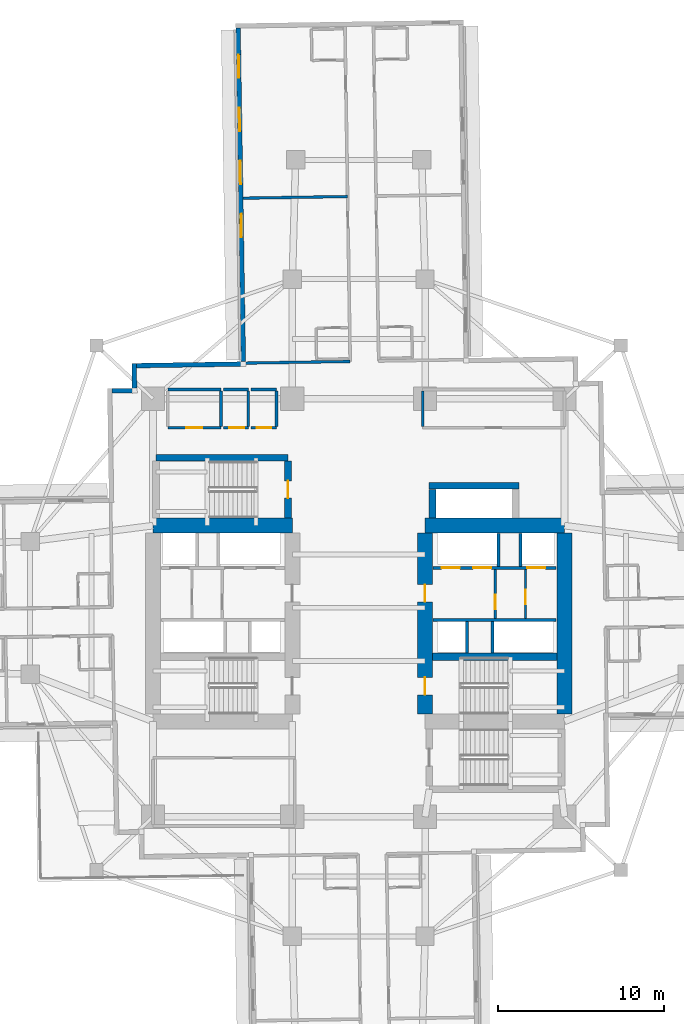
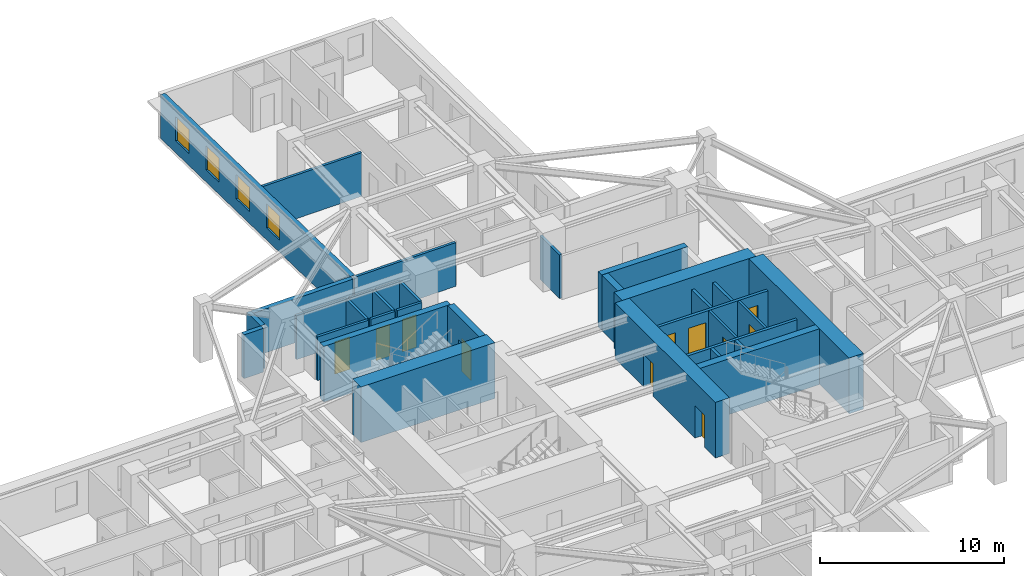
# One storey, part 6 of 14: 33 walls, 11 doors, 4 windows, 15 openings.
"""IFC4 building model written with IfcOpenShell, lengths in metres."""

from ifc_helpers import new_model, si_unit, direction, frame, frame_2d, origin, place, context, subcontext, project, spatial, rectangle, extrude, material, layer, layer_set, type_object, element, fill, save


model = new_model("IFC4")

# Units and contexts
model_context = context("Model", 3, precision=1e-05, world=origin(), true_north=direction((0.0, 1.0)))
body_context = subcontext(model_context, "Body", "Model", "MODEL_VIEW")
ifc_project = project(units=[si_unit("LENGTHUNIT", "METRE"), si_unit("AREAUNIT", "SQUARE_METRE"), si_unit("VOLUMEUNIT", "CUBIC_METRE"), si_unit("PLANEANGLEUNIT", "RADIAN"), si_unit("MASSUNIT", "GRAM", prefix="KILO")], contexts=[model_context])

# Site, building, storey
site_placement = place(None, origin())
site = spatial("IfcSite", under=ifc_project, at=site_placement, CompositionType="ELEMENT")
building_placement = place(site_placement, origin())
building = spatial("IfcBuilding", under=site, at=building_placement, Name="Qingluan Cross Belvedere", CompositionType="ELEMENT")
storey_placement = place(building_placement, frame((0.0, 0.0, 60.0)))
storey = spatial("IfcBuildingStorey", under=building, at=storey_placement, Name="L15", CompositionType="ELEMENT", Elevation=60.0)

# Walls
ifc_material_1 = material(Name="Concrete C50", Category="concrete")
ifc_layer_1 = layer(ifc_material_1, 0.449951171875, Name="CoreShearWall_450")
ifc_layer_set_1 = layer_set([ifc_layer_1], Name="Concrete C50")
wall_type_1 = type_object("IfcWallType", Name="CoreShearWall_450", PredefinedType="SHEAR", material=ifc_layer_set_1)
wall_1_placement = place(storey_placement, frame((4.455078125, -2.9599609375, 0.0), z_axis=(0.0, 0.0, 1.0), x_axis=(1.0, 0.0, 0.0)))
element("IfcWall", 1, at=wall_1_placement, inside=storey, type_object=wall_type_1, Name="Split core E shear wall L15-M", PredefinedType="SHEAR", context=body_context, shape_type="SweptSolid", body=[
    extrude(rectangle(XDim=7.489990234375, YDim=0.449951171875, at=frame_2d((3.7451171875, 0.0))), origin(), (0.0, 0.0, 1.0), 3.699951171875),
])
wall_2_placement = place(storey_placement, frame((-12.219970703125, 9.0400390625, 0.0), z_axis=(0.0, 0.0, 1.0), x_axis=(1.0, 0.0, 0.0)))
element("IfcWall", 2, at=wall_2_placement, inside=storey, type_object=wall_type_1, Name="Stair ST3 structural wall N L15", PredefinedType="SHEAR", context=body_context, shape_type="SweptSolid", body=[
    extrude(rectangle(XDim=7.9599609375, YDim=0.39990234375, at=frame_2d((3.97998046875, 0.0))), origin(), (0.0, 0.0, 1.0), 3.699951171875),
])

# Wall, opening, door
wall_3_placement = place(storey_placement, frame((-4.260009765625, 5.405029296875, 0.0), z_axis=(0.0, 0.0, 1.0), x_axis=(0.0, 1.0, 0.0)))
wall_3 = element("IfcWall", 3, at=wall_3_placement, inside=storey, type_object=wall_type_1, Name="Stair ST3 structural wall E L15", PredefinedType="SHEAR", context=body_context, shape_type="SweptSolid", body=[
    extrude(rectangle(XDim=3.429931640625, YDim=0.39990234375, at=frame_2d((1.71484375, 0.0))), origin(), (0.0, 0.0, 1.0), 3.699951171875),
])
opening_1_placement = place(wall_3_placement, frame((1.195068359375, 0.0, 0.0)))
opening_1 = element("IfcOpeningElement", 4, at=opening_1_placement, cuts=wall_3, Name="Opening FD-B11", PredefinedType="OPENING", context=body_context, shape_type="SweptSolid", body=[
    extrude(rectangle(XDim=1.050048828125, YDim=2.14990234375, at=frame_2d((0.52490234375, 1.074951171875))), frame((0.0, 0.2099609375, 0.0), z_axis=(0.0, -1.0, 0.0), x_axis=(1.0, 0.0, 0.0)), (0.0, 0.0, 1.0), 0.419921875),
])
ifc_material_2 = material(Name="Steel Class B smoke-seal fire door", Category="steel")
door_type_1 = type_object("IfcDoorType", Name="StairLobbyFireDoor_FDB", OperationType="NOTDEFINED", PredefinedType="DOOR", material=ifc_material_2)
door_1_placement = place(opening_1_placement, origin())
door_1 = element("IfcDoor", 5, at=door_1_placement, inside=storey, type_object=door_type_1, Name="Smoke-proof stair ST3 fire door L15", OperationType="SINGLE_SWING_RIGHT", OverallHeight=2.14990234375, OverallWidth=1.050048828125, PredefinedType="DOOR", context=body_context, shape_type="SweptSolid", body=[
    extrude(rectangle(XDim=1.050048828125, YDim=2.14990234375, at=frame_2d((0.52490234375, 1.074951171875))), frame((0.0, 0.02490234375, 0.0), z_axis=(0.0, -1.0, 0.0), x_axis=(1.0, 0.0, 0.0)), (0.0, 0.0, 1.0), 0.050048828125),
])
fill(opening_1, door_1)

# Walls
wall_4_placement = place(storey_placement, frame((4.449951171875, 5.405029296875, 0.0), z_axis=(0.0, 0.0, 1.0), x_axis=(0.0, 1.0, 0.0)))
element("IfcWall", 6, at=wall_4_placement, inside=storey, type_object=wall_type_1, Name="Express shuttle core wall L15-W", PredefinedType="SHEAR", context=body_context, shape_type="SweptSolid", body=[
    extrude(rectangle(XDim=1.73486328125, YDim=0.39990234375, at=frame_2d((0.867431640625, 0.0))), origin(), (0.0, 0.0, 1.0), 3.699951171875),
])
wall_5_placement = place(storey_placement, frame((4.25, 7.35009765625, 0.0), z_axis=(0.0, 0.0, 1.0), x_axis=(1.0, 0.0, 0.0)))
element("IfcWall", 7, at=wall_5_placement, inside=storey, type_object=wall_type_1, Name="Express shuttle core wall L15-N", PredefinedType="SHEAR", context=body_context, shape_type="SweptSolid", body=[
    extrude(rectangle(XDim=5.39990234375, YDim=0.39990234375, at=frame_2d((2.699951171875, 0.0))), origin(), (0.0, 0.0, 1.0), 3.699951171875),
])
ifc_material_3 = material(Name="Concrete C70", Category="concrete")
ifc_layer_2 = layer(ifc_material_3, 0.89990234375, Name="CoreShearWall_900")
ifc_layer_set_2 = layer_set([ifc_layer_2], Name="Concrete C70")
wall_type_2 = type_object("IfcWallType", Name="CoreShearWall_900", PredefinedType="SHEAR", material=ifc_layer_set_2)
for number, where, z_axis, x_axis, name in (
    (8, (-12.39990234375, 4.949951171875, 0.0), (0.0, 0.0, 1.0), (1.0, 0.0, 0.0), "Split core W shear wall L15-N"),
    (9, (4.0, 4.949951171875, 0.0), (0.0, 0.0, 1.0), (1.0, 0.0, 0.0), "Split core E shear wall L15-N"),
):
    element("IfcWall", number, at=place(storey_placement, frame(where, z_axis=z_axis, x_axis=x_axis)), inside=storey, type_object=wall_type_2, Name=name, PredefinedType="SHEAR", context=body_context, shape_type="SweptSolid", body=[
        extrude(rectangle(XDim=8.39990234375, YDim=0.89990234375, at=frame_2d((4.199951171875, 0.0))), origin(), (0.0, 0.0, 1.0), 3.699951171875),
    ])

# Wall, openings, doors
wall_6_placement = place(storey_placement, frame((4.0, -6.39501953125, 0.0), z_axis=(0.0, 0.0, 1.0), x_axis=(0.0, 1.0, 0.0)))
wall_6 = element("IfcWall", 10, at=wall_6_placement, inside=storey, type_object=wall_type_2, Name="Split core E shear wall L15-W", PredefinedType="SHEAR", context=body_context, shape_type="SweptSolid", body=[
    extrude(rectangle(XDim=10.89013671875, YDim=0.89990234375, at=frame_2d((5.445068359375, 0.0))), origin(), (0.0, 0.0, 1.0), 3.699951171875),
])
opening_2_placement = place(wall_6_placement, frame((1.14501953125, 0.0, 0.0)))
opening_2 = element("IfcOpeningElement", 11, at=opening_2_placement, cuts=wall_6, Name="Opening FD-B11", PredefinedType="OPENING", context=body_context, shape_type="SweptSolid", body=[
    extrude(rectangle(XDim=1.050048828125, YDim=2.14990234375, at=frame_2d((0.52490234375, 1.074951171875))), frame((0.0, 0.4599609375, 0.0), z_axis=(0.0, -1.0, 0.0), x_axis=(1.0, 0.0, 0.0)), (0.0, 0.0, 1.0), 0.919921875),
])
opening_3_placement = place(wall_6_placement, frame((6.7451171875, 0.0, 0.0)))
opening_3 = element("IfcOpeningElement", 12, at=opening_3_placement, cuts=wall_6, Name="Opening FD-B11", PredefinedType="OPENING", context=body_context, shape_type="SweptSolid", body=[
    extrude(rectangle(XDim=1.050048828125, YDim=2.14990234375, at=frame_2d((0.52490234375, 1.074951171875))), frame((0.0, 0.4599609375, 0.0), z_axis=(0.0, -1.0, 0.0), x_axis=(1.0, 0.0, 0.0)), (0.0, 0.0, 1.0), 0.919921875),
])
door_2_placement = place(opening_2_placement, origin())
door_2 = element("IfcDoor", 13, at=door_2_placement, inside=storey, type_object=door_type_1, Name="Smoke-proof stair ST2 fire door L15", OperationType="SINGLE_SWING_LEFT", OverallHeight=2.14990234375, OverallWidth=1.050048828125, PredefinedType="DOOR", context=body_context, shape_type="SweptSolid", body=[
    extrude(rectangle(XDim=1.050048828125, YDim=2.14990234375, at=frame_2d((0.52490234375, 1.074951171875))), frame((0.0, 0.02490234375, 0.0), z_axis=(0.0, -1.0, 0.0), x_axis=(1.0, 0.0, 0.0)), (0.0, 0.0, 1.0), 0.050048828125),
])
fill(opening_2, door_2)
door_3_placement = place(opening_3_placement, origin())
door_3 = element("IfcDoor", 14, at=door_3_placement, inside=storey, type_object=door_type_1, Name="Firefighting lobby East fire door L15", OperationType="SINGLE_SWING_LEFT", OverallHeight=2.14990234375, OverallWidth=1.050048828125, PredefinedType="DOOR", context=body_context, shape_type="SweptSolid", body=[
    extrude(rectangle(XDim=1.050048828125, YDim=2.14990234375, at=frame_2d((0.52490234375, 1.074951171875))), frame((0.0, 0.02490234375, 0.0), z_axis=(0.0, -1.0, 0.0), x_axis=(1.0, 0.0, 0.0)), (0.0, 0.0, 1.0), 0.050048828125),
])
fill(opening_3, door_3)

# Wall
wall_7_placement = place(storey_placement, frame((12.39990234375, -6.39501953125, 0.0), z_axis=(0.0, 0.0, 1.0), x_axis=(0.0, 1.0, 0.0)))
element("IfcWall", 15, at=wall_7_placement, inside=storey, type_object=wall_type_2, Name="Split core E shear wall L15-E", PredefinedType="SHEAR", context=body_context, shape_type="SweptSolid", body=[
    extrude(rectangle(XDim=10.89013671875, YDim=0.89990234375, at=frame_2d((5.445068359375, 0.0))), origin(), (0.0, 0.0, 1.0), 3.699951171875),
])

# Wall, opening, door
ifc_material_4 = material(Name="Gypsum plasterboard on steel stud acoustic partition", Category="steel")
ifc_layer_3 = layer(ifc_material_4, 0.159912109375, Name="CorridorPartition_160")
ifc_layer_set_3 = layer_set([ifc_layer_3], Name="Gypsum plasterboard on steel stud acoustic partition")
wall_type_3 = type_object("IfcWallType", Name="CorridorPartition_160", PredefinedType="PARTITIONING", material=ifc_layer_set_3)
wall_8_placement = place(storey_placement, frame((10.050048828125, -0.652099609375, 0.0), z_axis=(0.0, 0.0, 1.0), x_axis=(0.0, 1.0, 0.0)))
wall_8 = element("IfcWall", 16, at=wall_8_placement, inside=storey, type_object=wall_type_3, Name="Partition L15:ev", PredefinedType="PARTITIONING", context=body_context, shape_type="SweptSolid", body=[
    extrude(rectangle(XDim=2.962158203125, YDim=0.139892578125, at=frame_2d((1.48095703125, 0.0))), origin(), (0.0, 0.0, 1.0), 2.89990234375),
])
opening_4_placement = place(wall_8_placement, frame((0.85009765625, 0.0, 0.0)))
opening_4 = element("IfcOpeningElement", 17, at=opening_4_placement, cuts=wall_8, Name="Opening FD-B10", PredefinedType="OPENING", context=body_context, shape_type="SweptSolid", body=[
    extrude(rectangle(XDim=0.8798828125, YDim=2.10009765625, at=frame_2d((0.43994140625, 1.050048828125))), frame((0.0, 0.079833984375, 0.0), z_axis=(0.0, -1.0, 0.0), x_axis=(1.0, 0.0, 0.0)), (0.0, 0.0, 1.0), 0.159912109375),
])
ifc_material_5 = material(Name="Steel Class B service fire door", Category="steel")
door_type_2 = type_object("IfcDoorType", Name="RiserServiceFireDoor_FDB", OperationType="NOTDEFINED", PredefinedType="DOOR", material=ifc_material_5)
door_4_placement = place(opening_4_placement, origin())
door_4 = element("IfcDoor", 18, at=door_4_placement, inside=storey, type_object=door_type_2, Name="Service closet inner door L15", OperationType="SINGLE_SWING_LEFT", OverallHeight=2.10009765625, OverallWidth=0.8798828125, PredefinedType="DOOR", context=body_context, shape_type="SweptSolid", body=[
    extrude(rectangle(XDim=0.8798828125, YDim=2.10009765625, at=frame_2d((0.43994140625, 1.050048828125))), frame((0.0, 0.02490234375, 0.0), z_axis=(0.0, -1.0, 0.0), x_axis=(1.0, 0.0, 0.0)), (0.0, 0.0, 1.0), 0.050048828125),
])
fill(opening_4, door_4)

wall_9_placement = place(storey_placement, frame((-11.5, 10.85009765625, 0.0), z_axis=(0.0, 0.0, 1.0), x_axis=(1.0, 0.0, 0.0)))
wall_9 = element("IfcWall", 19, at=wall_9_placement, inside=storey, type_object=wall_type_3, Name="Partition L15:q_nw_occ:S", PredefinedType="PARTITIONING", context=body_context, shape_type="SweptSolid", body=[
    extrude(rectangle(XDim=3.199951171875, YDim=0.159912109375, at=frame_2d((1.60009765625, 0.0))), origin(), (0.0, 0.0, 1.0), 2.89990234375),
])
opening_5_placement = place(wall_9_placement, frame((1.1201171875, 0.0, 0.0)))
opening_5 = element("IfcOpeningElement", 20, at=opening_5_placement, cuts=wall_9, Name="Opening GD-10", PredefinedType="OPENING", context=body_context, shape_type="SweptSolid", body=[
    extrude(rectangle(XDim=0.9599609375, YDim=2.14990234375, at=frame_2d((0.47998046875, 1.074951171875))), frame((0.0, 0.08984375, 0.0), z_axis=(0.0, -1.0, 0.0), x_axis=(1.0, 0.0, 0.0)), (0.0, 0.0, 1.0), 0.179931640625),
])
ifc_material_6 = material(Name="Timber oak fire-rated acoustic guestroom door", Category="wood")
door_type_3 = type_object("IfcDoorType", Name="GuestEntryDoor_FD60", OperationType="NOTDEFINED", PredefinedType="DOOR", material=ifc_material_6)
door_5_placement = place(opening_5_placement, origin())
door_5 = element("IfcDoor", 21, at=door_5_placement, inside=storey, type_object=door_type_3, Name="Northwest corner reading salon L15 door", OperationType="SINGLE_SWING_RIGHT", OverallHeight=2.14990234375, OverallWidth=0.9599609375, PredefinedType="DOOR", context=body_context, shape_type="SweptSolid", body=[
    extrude(rectangle(XDim=0.9599609375, YDim=2.14990234375, at=frame_2d((0.47998046875, 1.074951171875))), frame((0.0, 0.02490234375, 0.0), z_axis=(0.0, -1.0, 0.0), x_axis=(1.0, 0.0, 0.0)), (0.0, 0.0, 1.0), 0.050048828125),
])
fill(opening_5, door_5)

# Walls
wall_10_placement = place(storey_placement, frame((-11.5, 13.14990234375, 0.0), z_axis=(0.0, 0.0, 1.0), x_axis=(1.0, 0.0, 0.0)))
element("IfcWall", 22, at=wall_10_placement, inside=storey, type_object=wall_type_3, Name="Partition L15:q_nw_occ:N", PredefinedType="PARTITIONING", context=body_context, shape_type="SweptSolid", body=[
    extrude(rectangle(XDim=3.199951171875, YDim=0.159912109375, at=frame_2d((1.60009765625, 0.0))), origin(), (0.0, 0.0, 1.0), 2.89990234375),
])
wall_11_placement = place(storey_placement, frame((-8.300048828125, 10.93505859375, 0.0), z_axis=(0.0, 0.0, 1.0), x_axis=(0.0, 1.0, 0.0)))
element("IfcWall", 23, at=wall_11_placement, inside=storey, type_object=wall_type_3, Name="Partition L15:q_nw_occ:E", PredefinedType="PARTITIONING", context=body_context, shape_type="SweptSolid", body=[
    extrude(rectangle(XDim=2.1298828125, YDim=0.159912109375, at=frame_2d((1.06494140625, 0.0))), origin(), (0.0, 0.0, 1.0), 2.89990234375),
])

# Wall, opening, door
wall_12_placement = place(storey_placement, frame((-8.139892578125, 10.85009765625, 0.0), z_axis=(0.0, 0.0, 1.0), x_axis=(1.0, 0.0, 0.0)))
wall_12 = element("IfcWall", 24, at=wall_12_placement, inside=storey, type_object=wall_type_3, Name="Partition L15:hk_linen:S", PredefinedType="PARTITIONING", context=body_context, shape_type="SweptSolid", body=[
    extrude(rectangle(XDim=1.489990234375, YDim=0.159912109375, at=frame_2d((0.7451171875, 0.0))), origin(), (0.0, 0.0, 1.0), 2.89990234375),
])
opening_6_placement = place(wall_12_placement, frame((0.35009765625, 0.0, 0.0)))
opening_6 = element("IfcOpeningElement", 25, at=opening_6_placement, cuts=wall_12, Name="Opening FD-B10", PredefinedType="OPENING", context=body_context, shape_type="SweptSolid", body=[
    extrude(rectangle(XDim=0.8798828125, YDim=2.10009765625, at=frame_2d((0.43994140625, 1.050048828125))), frame((0.0, 0.08984375, 0.0), z_axis=(0.0, -1.0, 0.0), x_axis=(1.0, 0.0, 0.0)), (0.0, 0.0, 1.0), 0.179931640625),
])
door_6_placement = place(opening_6_placement, origin())
door_6 = element("IfcDoor", 26, at=door_6_placement, inside=storey, type_object=door_type_2, Name="Housekeeping and linen store L15 door", OperationType="SINGLE_SWING_LEFT", OverallHeight=2.10009765625, OverallWidth=0.8798828125, PredefinedType="DOOR", context=body_context, shape_type="SweptSolid", body=[
    extrude(rectangle(XDim=0.8798828125, YDim=2.10009765625, at=frame_2d((0.43994140625, 1.050048828125))), frame((0.0, 0.02490234375, 0.0), z_axis=(0.0, -1.0, 0.0), x_axis=(1.0, 0.0, 0.0)), (0.0, 0.0, 1.0), 0.050048828125),
])
fill(opening_6, door_6)

# Walls
wall_13_placement = place(storey_placement, frame((-8.139892578125, 13.14990234375, 0.0), z_axis=(0.0, 0.0, 1.0), x_axis=(1.0, 0.0, 0.0)))
element("IfcWall", 27, at=wall_13_placement, inside=storey, type_object=wall_type_3, Name="Partition L15:hk_linen:N", PredefinedType="PARTITIONING", context=body_context, shape_type="SweptSolid", body=[
    extrude(rectangle(XDim=1.489990234375, YDim=0.159912109375, at=frame_2d((0.7451171875, 0.0))), origin(), (0.0, 0.0, 1.0), 2.89990234375),
])
wall_14_placement = place(storey_placement, frame((-6.64990234375, 10.93505859375, 0.0), z_axis=(0.0, 0.0, 1.0), x_axis=(0.0, 1.0, 0.0)))
element("IfcWall", 28, at=wall_14_placement, inside=storey, type_object=wall_type_3, Name="Partition L15:hk_linen:E", PredefinedType="PARTITIONING", context=body_context, shape_type="SweptSolid", body=[
    extrude(rectangle(XDim=2.1298828125, YDim=0.159912109375, at=frame_2d((1.06494140625, 0.0))), origin(), (0.0, 0.0, 1.0), 2.89990234375),
])

# Wall, opening, door
wall_15_placement = place(storey_placement, frame((-6.489990234375, 10.85009765625, 0.0), z_axis=(0.0, 0.0, 1.0), x_axis=(1.0, 0.0, 0.0)))
wall_15 = element("IfcWall", 29, at=wall_15_placement, inside=storey, type_object=wall_type_3, Name="Partition L15:floor_acc_wc:S", PredefinedType="PARTITIONING", context=body_context, shape_type="SweptSolid", body=[
    extrude(rectangle(XDim=1.5400390625, YDim=0.159912109375, at=frame_2d((0.77001953125, 0.0))), origin(), (0.0, 0.0, 1.0), 2.89990234375),
])
opening_7_placement = place(wall_15_placement, frame((0.35009765625, 0.0, 0.0)))
opening_7 = element("IfcOpeningElement", 30, at=opening_7_placement, cuts=wall_15, Name="Opening BD-08", PredefinedType="OPENING", context=body_context, shape_type="SweptSolid", body=[
    extrude(rectangle(XDim=0.8798828125, YDim=2.14990234375, at=frame_2d((0.43994140625, 1.074951171875))), frame((0.0, 0.08984375, 0.0), z_axis=(0.0, -1.0, 0.0), x_axis=(1.0, 0.0, 0.0)), (0.0, 0.0, 1.0), 0.179931640625),
])
ifc_material_7 = material(Name="Moisture-sealed timber accessible WC door", Category="wood")
door_type_4 = type_object("IfcDoorType", Name="AccessibleWCDoor_880", OperationType="NOTDEFINED", PredefinedType="DOOR", material=ifc_material_7)
door_7_placement = place(opening_7_placement, origin())
door_7 = element("IfcDoor", 31, at=door_7_placement, inside=storey, type_object=door_type_4, Name="Accessible guest washroom L15 door", OperationType="SINGLE_SWING_RIGHT", OverallHeight=2.14990234375, OverallWidth=0.8798828125, PredefinedType="DOOR", context=body_context, shape_type="SweptSolid", body=[
    extrude(rectangle(XDim=0.8798828125, YDim=2.14990234375, at=frame_2d((0.43994140625, 1.074951171875))), frame((0.0, 0.02490234375, 0.0), z_axis=(0.0, -1.0, 0.0), x_axis=(1.0, 0.0, 0.0)), (0.0, 0.0, 1.0), 0.050048828125),
])
fill(opening_7, door_7)

# Walls
wall_16_placement = place(storey_placement, frame((-6.489990234375, 13.14990234375, 0.0), z_axis=(0.0, 0.0, 1.0), x_axis=(1.0, 0.0, 0.0)))
element("IfcWall", 32, at=wall_16_placement, inside=storey, type_object=wall_type_3, Name="Partition L15:floor_acc_wc:N", PredefinedType="PARTITIONING", context=body_context, shape_type="SweptSolid", body=[
    extrude(rectangle(XDim=1.5400390625, YDim=0.159912109375, at=frame_2d((0.77001953125, 0.0))), origin(), (0.0, 0.0, 1.0), 2.89990234375),
])
for number, where, z_axis, x_axis, name in (
    (33, (-4.949951171875, 10.93505859375, 0.0), (0.0, 0.0, 1.0), (0.0, 1.0, 0.0), "Partition L15:floor_acc_wc:E"),
    (34, (3.85009765625, 10.93505859375, 0.0), (0.0, 0.0, 1.0), (0.0, 1.0, 0.0), "Partition L15:q_ne:W"),
):
    element("IfcWall", number, at=place(storey_placement, frame(where, z_axis=z_axis, x_axis=x_axis)), inside=storey, type_object=wall_type_3, Name=name, PredefinedType="PARTITIONING", context=body_context, shape_type="SweptSolid", body=[
        extrude(rectangle(XDim=2.1298828125, YDim=0.159912109375, at=frame_2d((1.06494140625, 0.0))), origin(), (0.0, 0.0, 1.0), 2.89990234375),
    ])
wall_17_placement = place(storey_placement, frame((-0.51318359375, 14.84375, 0.0), z_axis=(0.0, 0.0, 1.0), x_axis=(-0.99987682984, -0.015694749102, 0.0)))
element("IfcWall", 35, at=wall_17_placement, inside=storey, type_object=wall_type_3, Name="Partition L15:N:s1", PredefinedType="PARTITIONING", context=body_context, shape_type="SweptSolid", body=[
    extrude(rectangle(XDim=6.43994140625, YDim=0.159912109375, at=frame_2d((3.219970703125, 0.0))), origin(), (0.0, 0.0, 1.0), 2.89990234375),
])
wall_18_placement = place(storey_placement, frame((-0.66943359375, 24.783447265625, 0.0), z_axis=(0.0, 0.0, 1.0), x_axis=(-0.999877126691, -0.015675825961, 0.0)))
element("IfcWall", 36, at=wall_18_placement, inside=storey, type_object=wall_type_3, Name="Partition L15:N:d1_0", PredefinedType="PARTITIONING", context=body_context, shape_type="SweptSolid", body=[
    extrude(rectangle(XDim=6.2919921875, YDim=0.159912109375, at=frame_2d((3.14599609375, 0.0))), origin(), (0.0, 0.0, 1.0), 2.89990234375),
])

# Wall, openings, windows
ifc_material_8 = material(Name="Precast concrete C45", Category="concrete")
ifc_layer_4 = layer(ifc_material_8, 0.280029296875, Name="PrecastFacadeWall_280")
ifc_layer_set_4 = layer_set([ifc_layer_4], Name="Precast concrete C45")
wall_type_4 = type_object("IfcWallType", Name="PrecastFacadeWall_280", PredefinedType="STANDARD", material=ifc_layer_set_4)
wall_19_placement = place(storey_placement, frame((-7.26953125, 34.93017578125, 0.0), z_axis=(0.0, 0.0, 1.0), x_axis=(0.015705059908, -0.999876667941, 0.0)))
wall_19 = element("IfcWall", 37, at=wall_19_placement, inside=storey, type_object=wall_type_4, Name="Facade wall L15-NB", PredefinedType="STANDARD", context=body_context, shape_type="SweptSolid", body=[
    extrude(rectangle(XDim=20.10009765625, YDim=0.280029296875, at=frame_2d((10.050048828125, 0.0))), origin(), (0.0, 0.0, 1.0), 2.909912109375),
])
opening_8_placement = place(wall_19_placement, frame((1.60009765625, 0.0, 0.800048828125)))
opening_8 = element("IfcOpeningElement", 38, at=opening_8_placement, cuts=wall_19, Name="Opening W-01", PredefinedType="OPENING", context=body_context, shape_type="SweptSolid", body=[
    extrude(rectangle(XDim=1.39990234375, YDim=1.60009765625, at=frame_2d((0.699951171875, 0.800048828125))), frame((0.0, 0.14990234375, 0.0), z_axis=(0.0, -1.0, 0.0), x_axis=(1.0, 0.0, 0.0)), (0.0, 0.0, 1.0), 0.300048828125),
])
opening_9_placement = place(wall_19_placement, frame((4.800048828125, 0.0, 0.800048828125)))
opening_9 = element("IfcOpeningElement", 39, at=opening_9_placement, cuts=wall_19, Name="Opening W-01", PredefinedType="OPENING", context=body_context, shape_type="SweptSolid", body=[
    extrude(rectangle(XDim=1.39990234375, YDim=1.60009765625, at=frame_2d((0.699951171875, 0.800048828125))), frame((0.0, 0.14990234375, 0.0), z_axis=(0.0, -1.0, 0.0), x_axis=(1.0, 0.0, 0.0)), (0.0, 0.0, 1.0), 0.300048828125),
])
opening_10_placement = place(wall_19_placement, frame((8.0, 0.0, 0.800048828125)))
opening_10 = element("IfcOpeningElement", 40, at=opening_10_placement, cuts=wall_19, Name="Opening W-01", PredefinedType="OPENING", context=body_context, shape_type="SweptSolid", body=[
    extrude(rectangle(XDim=1.39990234375, YDim=1.60009765625, at=frame_2d((0.699951171875, 0.800048828125))), frame((0.0, 0.14990234375, 0.0), z_axis=(0.0, -1.0, 0.0), x_axis=(1.0, 0.0, 0.0)), (0.0, 0.0, 1.0), 0.300048828125),
])
opening_11_placement = place(wall_19_placement, frame((11.199951171875, 0.0, 0.800048828125)))
opening_11 = element("IfcOpeningElement", 41, at=opening_11_placement, cuts=wall_19, Name="Opening W-01", PredefinedType="OPENING", context=body_context, shape_type="SweptSolid", body=[
    extrude(rectangle(XDim=1.39990234375, YDim=1.60009765625, at=frame_2d((0.699951171875, 0.800048828125))), frame((0.0, 0.14990234375, 0.0), z_axis=(0.0, -1.0, 0.0), x_axis=(1.0, 0.0, 0.0)), (0.0, 0.0, 1.0), 0.300048828125),
])
ifc_material_9 = material(Name="Thermally broken triple Low-E glass in aluminium frame", Category="aluminium")
window_type = type_object("IfcWindowType", Name="TriRibbonWin_1400x1600", PartitioningType="SINGLE_PANEL", PredefinedType="WINDOW", material=ifc_material_9)
window_1_placement = place(opening_8_placement, origin())
window_1 = element("IfcWindow", 42, at=window_1_placement, inside=storey, type_object=window_type, Name="Ribbon window L15-NB-1", OverallHeight=1.60009765625, OverallWidth=1.39990234375, PartitioningType="SINGLE_PANEL", PredefinedType="WINDOW", context=body_context, shape_type="SweptSolid", body=[
    extrude(rectangle(XDim=1.39990234375, YDim=1.60009765625, at=frame_2d((0.699951171875, 0.800048828125))), frame((0.0, 0.030029296875, 0.0), z_axis=(0.0, -1.0, 0.0), x_axis=(1.0, 0.0, 0.0)), (0.0, 0.0, 1.0), 0.06005859375),
])
fill(opening_8, window_1)
window_2_placement = place(opening_9_placement, origin())
window_2 = element("IfcWindow", 43, at=window_2_placement, inside=storey, type_object=window_type, Name="Ribbon window L15-NB-2", OverallHeight=1.60009765625, OverallWidth=1.39990234375, PartitioningType="SINGLE_PANEL", PredefinedType="WINDOW", context=body_context, shape_type="SweptSolid", body=[
    extrude(rectangle(XDim=1.39990234375, YDim=1.60009765625, at=frame_2d((0.699951171875, 0.800048828125))), frame((0.0, 0.030029296875, 0.0), z_axis=(0.0, -1.0, 0.0), x_axis=(1.0, 0.0, 0.0)), (0.0, 0.0, 1.0), 0.06005859375),
])
fill(opening_9, window_2)
window_3_placement = place(opening_10_placement, origin())
window_3 = element("IfcWindow", 44, at=window_3_placement, inside=storey, type_object=window_type, Name="Ribbon window L15-NB-3", OverallHeight=1.60009765625, OverallWidth=1.39990234375, PartitioningType="SINGLE_PANEL", PredefinedType="WINDOW", context=body_context, shape_type="SweptSolid", body=[
    extrude(rectangle(XDim=1.39990234375, YDim=1.60009765625, at=frame_2d((0.699951171875, 0.800048828125))), frame((0.0, 0.030029296875, 0.0), z_axis=(0.0, -1.0, 0.0), x_axis=(1.0, 0.0, 0.0)), (0.0, 0.0, 1.0), 0.06005859375),
])
fill(opening_10, window_3)
window_4_placement = place(opening_11_placement, origin())
window_4 = element("IfcWindow", 45, at=window_4_placement, inside=storey, type_object=window_type, Name="Ribbon window L15-NB-4", OverallHeight=1.60009765625, OverallWidth=1.39990234375, PartitioningType="SINGLE_PANEL", PredefinedType="WINDOW", context=body_context, shape_type="SweptSolid", body=[
    extrude(rectangle(XDim=1.39990234375, YDim=1.60009765625, at=frame_2d((0.699951171875, 0.800048828125))), frame((0.0, 0.030029296875, 0.0), z_axis=(0.0, -1.0, 0.0), x_axis=(1.0, 0.0, 0.0)), (0.0, 0.0, 1.0), 0.06005859375),
])
fill(opening_11, window_4)

# Walls
wall_20_placement = place(storey_placement, frame((-14.8671875, 13.068115234375, 0.0), z_axis=(0.0, 0.0, 1.0), x_axis=(0.999875053502, 0.015807510352, 0.0)))
element("IfcWall", 46, at=wall_20_placement, inside=storey, type_object=wall_type_4, Name="Corner wall L15-NW2", PredefinedType="STANDARD", context=body_context, shape_type="SweptSolid", body=[
    extrude(rectangle(XDim=1.22021484375, YDim=0.280029296875, at=frame_2d((0.610107421875, 0.0))), origin(), (0.0, 0.0, 1.0), 2.909912109375),
])
wall_21_placement = place(storey_placement, frame((-13.509521484375, 13.2294921875, 0.0), z_axis=(0.0, 0.0, 1.0), x_axis=(-0.015625635615, 0.999877912303, 0.0)))
element("IfcWall", 47, at=wall_21_placement, inside=storey, type_object=wall_type_4, Name="Corner wall L15-NW3", PredefinedType="STANDARD", context=body_context, shape_type="SweptSolid", body=[
    extrude(rectangle(XDim=1.5, YDim=0.280029296875, at=frame_2d((0.75, 0.0))), origin(), (0.0, 0.0, 1.0), 2.909912109375),
])
wall_22_placement = place(storey_placement, frame((-13.390869140625, 14.591552734375, 0.0), z_axis=(0.0, 0.0, 1.0), x_axis=(0.999876833368, 0.015694524359, 0.0)))
element("IfcWall", 48, at=wall_22_placement, inside=storey, type_object=wall_type_4, Name="Corner wall L15-NW4", PredefinedType="STANDARD", context=body_context, shape_type="SweptSolid", body=[
    extrude(rectangle(XDim=6.300048828125, YDim=0.280029296875, at=frame_2d((3.14990234375, 0.0))), origin(), (0.0, 0.0, 1.0), 2.909912109375),
])

# Wall, openings, doors
ifc_material_10 = material(Name="Concrete C40", Category="concrete")
ifc_layer_5 = layer(ifc_material_10, 0.219970703125, Name="ShaftEnclosureWall_250")
ifc_layer_set_5 = layer_set([ifc_layer_5], Name="Concrete C40")
wall_type_5 = type_object("IfcWallType", Name="ShaftEnclosureWall_250", PredefinedType="SOLIDWALL", material=ifc_layer_set_5)
wall_23_placement = place(storey_placement, frame((4.47998046875, 2.409912109375, 0.0), z_axis=(0.0, 0.0, 1.0), x_axis=(1.0, 0.0, 0.0)))
wall_23 = element("IfcWall", 49, at=wall_23_placement, inside=storey, type_object=wall_type_5, Name="Core-E north hoistway wall L15", PredefinedType="SOLIDWALL", context=body_context, shape_type="SweptSolid", body=[
    extrude(rectangle(XDim=7.419921875, YDim=0.179931640625, at=frame_2d((3.7099609375, 0.0))), origin(), (0.0, 0.0, 1.0), 2.89990234375),
])
opening_12_placement = place(wall_23_placement, frame((5.669921875, 0.0, 0.0)))
opening_12 = element("IfcOpeningElement", 50, at=opening_12_placement, cuts=wall_23, Name="Opening LD-11", PredefinedType="OPENING", context=body_context, shape_type="SweptSolid", body=[
    extrude(rectangle(XDim=1.10009765625, YDim=2.14990234375, at=frame_2d((0.550048828125, 1.074951171875))), frame((0.0, 0.099853515625, 0.0), z_axis=(0.0, -1.0, 0.0), x_axis=(1.0, 0.0, 0.0)), (0.0, 0.0, 1.0), 0.199951171875),
])
opening_13_placement = place(wall_23_placement, frame((0.52001953125, 0.0, 0.0)))
opening_13 = element("IfcOpeningElement", 51, at=opening_13_placement, cuts=wall_23, Name="Opening LD-11", PredefinedType="OPENING", context=body_context, shape_type="SweptSolid", body=[
    extrude(rectangle(XDim=1.10009765625, YDim=2.14990234375, at=frame_2d((0.550048828125, 1.074951171875))), frame((0.0, 0.099853515625, 0.0), z_axis=(0.0, -1.0, 0.0), x_axis=(1.0, 0.0, 0.0)), (0.0, 0.0, 1.0), 0.199951171875),
])
opening_14_placement = place(wall_23_placement, frame((2.419921875, 0.0, 0.0)))
opening_14 = element("IfcOpeningElement", 52, at=opening_14_placement, cuts=wall_23, Name="Opening LD-11", PredefinedType="OPENING", context=body_context, shape_type="SweptSolid", body=[
    extrude(rectangle(XDim=1.10009765625, YDim=2.14990234375, at=frame_2d((0.550048828125, 1.074951171875))), frame((0.0, 0.099853515625, 0.0), z_axis=(0.0, -1.0, 0.0), x_axis=(1.0, 0.0, 0.0)), (0.0, 0.0, 1.0), 0.199951171875),
])
ifc_material_11 = material(Name="Brushed stainless steel centre-opening lift landing door", Category="steel")
door_type_5 = type_object("IfcDoorType", Name="LiftLandingSlidingDoor_1100", OperationType="DOUBLE_DOOR_SLIDING", PredefinedType="DOOR", material=ifc_material_11)
door_8_placement = place(opening_12_placement, origin())
door_8 = element("IfcDoor", 53, at=door_8_placement, inside=storey, type_object=door_type_5, Name="Lift landing sliding door FL2 L15", OperationType="DOUBLE_DOOR_SLIDING", OverallHeight=2.14990234375, OverallWidth=1.10009765625, PredefinedType="DOOR", context=body_context, shape_type="SweptSolid", body=[
    extrude(rectangle(XDim=1.10009765625, YDim=2.14990234375, at=frame_2d((0.550048828125, 1.074951171875))), frame((0.0, 0.02490234375, 0.0), z_axis=(0.0, -1.0, 0.0), x_axis=(1.0, 0.0, 0.0)), (0.0, 0.0, 1.0), 0.050048828125),
])
fill(opening_12, door_8)
door_9_placement = place(opening_13_placement, origin())
door_9 = element("IfcDoor", 54, at=door_9_placement, inside=storey, type_object=door_type_5, Name="Lift landing sliding door LP3 L15", OperationType="DOUBLE_DOOR_SLIDING", OverallHeight=2.14990234375, OverallWidth=1.10009765625, PredefinedType="DOOR", context=body_context, shape_type="SweptSolid", body=[
    extrude(rectangle(XDim=1.10009765625, YDim=2.14990234375, at=frame_2d((0.550048828125, 1.074951171875))), frame((0.0, 0.02490234375, 0.0), z_axis=(0.0, -1.0, 0.0), x_axis=(1.0, 0.0, 0.0)), (0.0, 0.0, 1.0), 0.050048828125),
])
fill(opening_13, door_9)
door_10_placement = place(opening_14_placement, origin())
door_10 = element("IfcDoor", 55, at=door_10_placement, inside=storey, type_object=door_type_5, Name="Lift landing sliding door LP4 L15", OperationType="DOUBLE_DOOR_SLIDING", OverallHeight=2.14990234375, OverallWidth=1.10009765625, PredefinedType="DOOR", context=body_context, shape_type="SweptSolid", body=[
    extrude(rectangle(XDim=1.10009765625, YDim=2.14990234375, at=frame_2d((0.550048828125, 1.074951171875))), frame((0.0, 0.02490234375, 0.0), z_axis=(0.0, -1.0, 0.0), x_axis=(1.0, 0.0, 0.0)), (0.0, 0.0, 1.0), 0.050048828125),
])
fill(opening_14, door_10)

# Walls
wall_24_placement = place(storey_placement, frame((4.47998046875, -0.75, 0.0), z_axis=(0.0, 0.0, 1.0), x_axis=(1.0, 0.0, 0.0)))
element("IfcWall", 56, at=wall_24_placement, inside=storey, type_object=wall_type_5, Name="Core-E mid hoistway wall L15", PredefinedType="SOLIDWALL", context=body_context, shape_type="SweptSolid", body=[
    extrude(rectangle(XDim=7.419921875, YDim=0.179931640625, at=frame_2d((3.7099609375, 0.0))), origin(), (0.0, 0.0, 1.0), 2.89990234375),
])
for number, where, z_axis, x_axis, name in (
    (57, (8.43994140625, 2.5, 0.0), (0.0, 0.0, 1.0), (0.0, 1.0, 0.0), "Hoistway enclosure divider LP4E L15"),
    (58, (9.760009765625, 2.5, 0.0), (0.0, 0.0, 1.0), (0.0, 1.0, 0.0), "Hoistway enclosure divider FL2W L15"),
):
    element("IfcWall", number, at=place(storey_placement, frame(where, z_axis=z_axis, x_axis=x_axis)), inside=storey, type_object=wall_type_5, Name=name, PredefinedType="SOLIDWALL", context=body_context, shape_type="SweptSolid", body=[
        extrude(rectangle(XDim=1.989990234375, YDim=0.179931640625, at=frame_2d((0.9951171875, 0.0))), origin(), (0.0, 0.0, 1.0), 2.89990234375),
    ])
for number, where, z_axis, x_axis, name in (
    (59, (6.5400390625, -2.72998046875, 0.0), (0.0, 0.0, 1.0), (0.0, 1.0, 0.0), "Hoistway enclosure divider LP7E L15"),
    (60, (8.06005859375, -2.72998046875, 0.0), (0.0, 0.0, 1.0), (0.0, 1.0, 0.0), "Hoistway enclosure divider LP9W L15"),
):
    element("IfcWall", number, at=place(storey_placement, frame(where, z_axis=z_axis, x_axis=x_axis)), inside=storey, type_object=wall_type_5, Name=name, PredefinedType="SOLIDWALL", context=body_context, shape_type="SweptSolid", body=[
        extrude(rectangle(XDim=1.889892578125, YDim=0.179931640625, at=frame_2d((0.94482421875, 0.0))), origin(), (0.0, 0.0, 1.0), 2.89990234375),
    ])

# Wall, opening, door
wall_25_placement = place(storey_placement, frame((8.219970703125, -0.64990234375, 0.0), z_axis=(0.0, 0.0, 1.0), x_axis=(0.0, 1.0, 0.0)))
wall_25 = element("IfcWall", 61, at=wall_25_placement, inside=storey, type_object=wall_type_5, Name="Core-E service corridor wall L15", PredefinedType="SOLIDWALL", context=body_context, shape_type="SweptSolid", body=[
    extrude(rectangle(XDim=2.9599609375, YDim=0.139892578125, at=frame_2d((1.47998046875, 0.0))), origin(), (0.0, 0.0, 1.0), 2.89990234375),
])
opening_15_placement = place(wall_25_placement, frame((0.550048828125, 0.0, 0.0)))
opening_15 = element("IfcOpeningElement", 62, at=opening_15_placement, cuts=wall_25, Name="Opening FD-B10", PredefinedType="OPENING", context=body_context, shape_type="SweptSolid", body=[
    extrude(rectangle(XDim=0.8798828125, YDim=2.10009765625, at=frame_2d((0.43994140625, 1.050048828125))), frame((0.0, 0.079833984375, 0.0), z_axis=(0.0, -1.0, 0.0), x_axis=(1.0, 0.0, 0.0)), (0.0, 0.0, 1.0), 0.159912109375),
])
door_11_placement = place(opening_15_placement, origin())
door_11 = element("IfcDoor", 63, at=door_11_placement, inside=storey, type_object=door_type_2, Name="Core-E service room door L15", OperationType="SINGLE_SWING_LEFT", OverallHeight=2.10009765625, OverallWidth=0.8798828125, PredefinedType="DOOR", context=body_context, shape_type="SweptSolid", body=[
    extrude(rectangle(XDim=0.8798828125, YDim=2.10009765625, at=frame_2d((0.43994140625, 1.050048828125))), frame((0.0, 0.02490234375, 0.0), z_axis=(0.0, -1.0, 0.0), x_axis=(1.0, 0.0, 0.0)), (0.0, 0.0, 1.0), 0.050048828125),
])
fill(opening_15, door_11)

save(model, "model.ifc")
